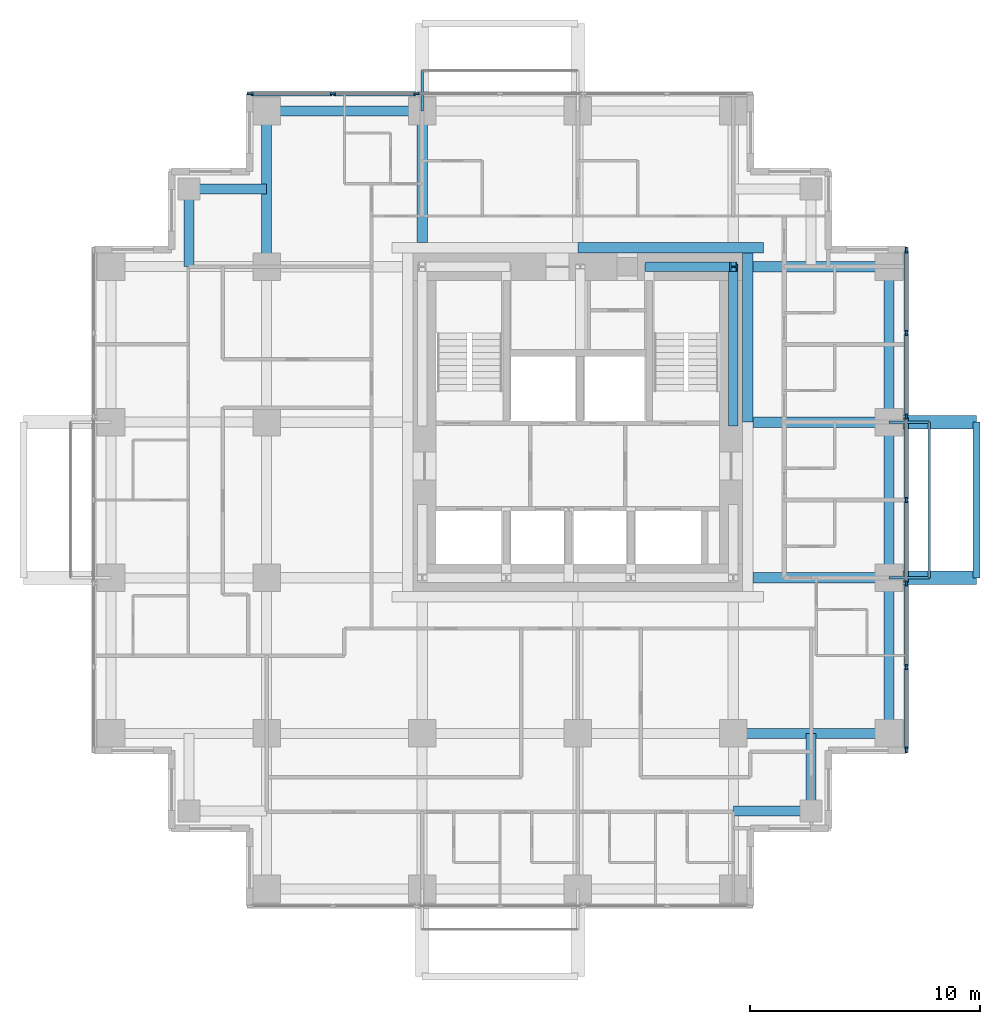
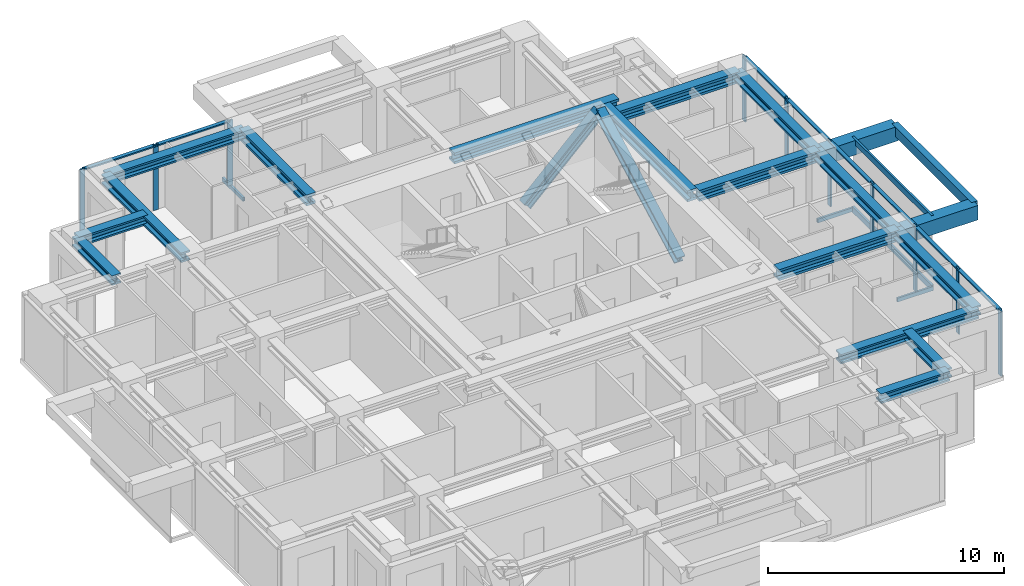
# One storey, part 3 of 10: 25 members, 19 beams, 2 elements without a shape of their own.
"""IFC4 building model written with IfcOpenShell, lengths in metres."""

from ifc_helpers import new_model, si_unit, direction, frame, origin, origin_2d, place, context, subcontext, project, spatial, rectangle, hollow_rectangle, i_section, extrude, material, material_profile, profile_set, type_object, element, aggregate, save


model = new_model("IFC4")

# Units and contexts
model_context = context("Model", 3, precision=1e-05, world=origin(), true_north=direction((0.0, 1.0)))
body_context = subcontext(model_context, "Body", "Model", "MODEL_VIEW")
ifc_project = project(units=[si_unit("LENGTHUNIT", "METRE"), si_unit("AREAUNIT", "SQUARE_METRE"), si_unit("VOLUMEUNIT", "CUBIC_METRE"), si_unit("PLANEANGLEUNIT", "RADIAN"), si_unit("MASSUNIT", "GRAM", prefix="KILO")], contexts=[model_context])

# Site, building, storey
site_placement = place(None, origin())
site = spatial("IfcSite", under=ifc_project, at=site_placement, CompositionType="ELEMENT")
building_placement = place(site_placement, origin())
building = spatial("IfcBuilding", under=site, at=building_placement, Name="Nyansa Garden Tower", CompositionType="ELEMENT")
storey_placement = place(building_placement, frame((0.0, 0.0, 189.0)))
storey = spatial("IfcBuildingStorey", under=building, at=storey_placement, Name="L51", CompositionType="ELEMENT", Elevation=189.0)

# Beams
ifc_material_1 = material(Name="Concrete C70/85", Category="concrete")
ifc_material_profile_1 = material_profile(ifc_material_1, rectangle(XDim=0.60009765625, YDim=0.75, at=origin_2d()), Name="RC 600x750")
ifc_profile_set_1 = profile_set([ifc_material_profile_1], Name="Concrete C70/85")
beam_type_1 = type_object("IfcBeamType", Name="Balcony cantilever beam CB1 RC 600x750", PredefinedType="BEAM", material=ifc_profile_set_1)
for number, where, z_axis, x_axis, name in (
    (1, (33.75, 13.5, 2.985107421875), (1.0, 0.0, 0.0), (0.0, 1.0, 0.0), "Balcony cantilever beam L52"),
    (2, (33.75, 20.25, 2.985107421875), (1.0, 0.0, 0.0), (0.0, 1.0, 0.0), "Balcony cantilever beam L52"),
):
    element("IfcBeam", number, at=place(storey_placement, frame(where, z_axis=z_axis, x_axis=x_axis)), inside=storey, type_object=beam_type_1, Name=name, PredefinedType="BEAM", context=body_context, shape_type="SweptSolid", body=[
        extrude(rectangle(XDim=0.60009765625, YDim=0.75, at=origin_2d()), origin(), (0.0, 0.0, 1.0), 3.800048828125),
    ])
ifc_material_2 = material(Name="Concrete C70/85", Category="concrete")
ifc_material_profile_2 = material_profile(ifc_material_2, rectangle(XDim=0.300048828125, YDim=0.5, at=origin_2d()), Name="RC 300x500")
ifc_profile_set_2 = profile_set([ifc_material_profile_2], Name="Concrete C70/85")
beam_type_2 = type_object("IfcBeamType", Name="Balcony edge beam BE1 RC 300x500", PredefinedType="BEAM", material=ifc_profile_set_2)
beam_1_placement = place(storey_placement, frame((37.550048828125, 13.5, 3.110107421875), z_axis=(0.0, 1.0, 0.0), x_axis=(-1.0, 0.0, 0.0)))
element("IfcBeam", 3, at=beam_1_placement, inside=storey, type_object=beam_type_2, Name="Balcony edge beam L52", PredefinedType="BEAM", context=body_context, shape_type="SweptSolid", body=[
    extrude(rectangle(XDim=0.300048828125, YDim=0.5, at=origin_2d()), origin(), (0.0, 0.0, 1.0), 6.75),
])

# Curtain wall, members
ifc_material_3 = material(Name="Black anodised aluminium, dark tinted double glazing", Category="aluminium")
curtain_wall_type = type_object("IfcCurtainWallType", Name="Inner skin curtain wall ISW-C", PredefinedType="USERDEFINED", material=ifc_material_3)
curtain_wall_1_placement = place(storey_placement, origin())
curtain_wall_1 = element("IfcCurtainWall", 4, at=curtain_wall_1_placement, inside=storey, type_object=curtain_wall_type, Name="Inner skin curtain wall L51 E", ObjectType="UNITISED CURTAIN WALL", PredefinedType="USERDEFINED")
ifc_material_4 = material(Name="Black anodised aluminium", Category="aluminium")
ifc_material_profile_3 = material_profile(ifc_material_4, rectangle(XDim=0.070068359375, YDim=0.25, at=origin_2d()), Name="Mullion 250x70")
ifc_profile_set_3 = profile_set([ifc_material_profile_3], Name="Black anodised aluminium")
member_type_1 = type_object("IfcMemberType", Name="Mullion ISW-C 250x70", PredefinedType="MULLION", material=ifc_profile_set_3)
member_1_placement = place(storey_placement, frame((34.5, 6.034912109375, 0.0), z_axis=(0.0, 0.0, 1.0), x_axis=(-1.0, 0.0, 0.0)))
member_1 = element("IfcMember", 5, at=member_1_placement, type_object=member_type_1, Name="ISW-C mullion 1", PredefinedType="MULLION", context=body_context, shape_type="SweptSolid", body=[
    extrude(rectangle(XDim=0.070068359375, YDim=0.25, at=origin_2d()), origin(), (0.0, 0.0, 1.0), 3.375),
])
member_2_placement = place(storey_placement, frame((34.5, 9.625, 0.0), z_axis=(0.0, 0.0, 1.0), x_axis=(-1.0, 0.0, 0.0)))
member_2 = element("IfcMember", 6, at=member_2_placement, type_object=member_type_1, Name="ISW-C mullion 2", PredefinedType="MULLION", context=body_context, shape_type="SweptSolid", body=[
    extrude(rectangle(XDim=0.070068359375, YDim=0.25, at=origin_2d()), origin(), (0.0, 0.0, 1.0), 3.375),
])
member_3_placement = place(storey_placement, frame((34.5, 13.25, 0.0), z_axis=(0.0, 0.0, 1.0), x_axis=(-1.0, 0.0, 0.0)))
member_3 = element("IfcMember", 7, at=member_3_placement, type_object=member_type_1, Name="ISW-C mullion 3", PredefinedType="MULLION", context=body_context, shape_type="SweptSolid", body=[
    extrude(rectangle(XDim=0.070068359375, YDim=0.25, at=origin_2d()), origin(), (0.0, 0.0, 1.0), 3.375),
])
member_4_placement = place(storey_placement, frame((34.5, 16.875, 0.0), z_axis=(0.0, 0.0, 1.0), x_axis=(-1.0, 0.0, 0.0)))
member_4 = element("IfcMember", 8, at=member_4_placement, type_object=member_type_1, Name="ISW-C mullion 4", PredefinedType="MULLION", context=body_context, shape_type="SweptSolid", body=[
    extrude(rectangle(XDim=0.070068359375, YDim=0.25, at=origin_2d()), origin(), (0.0, 0.0, 1.0), 3.375),
])
member_5_placement = place(storey_placement, frame((34.5, 20.5, 0.0), z_axis=(0.0, 0.0, 1.0), x_axis=(-1.0, 0.0, 0.0)))
member_5 = element("IfcMember", 9, at=member_5_placement, type_object=member_type_1, Name="ISW-C mullion 5", PredefinedType="MULLION", context=body_context, shape_type="SweptSolid", body=[
    extrude(rectangle(XDim=0.070068359375, YDim=0.25, at=origin_2d()), origin(), (0.0, 0.0, 1.0), 3.375),
])
member_6_placement = place(storey_placement, frame((34.5, 24.125, 0.0), z_axis=(0.0, 0.0, 1.0), x_axis=(-1.0, 0.0, 0.0)))
member_6 = element("IfcMember", 10, at=member_6_placement, type_object=member_type_1, Name="ISW-C mullion 6", PredefinedType="MULLION", context=body_context, shape_type="SweptSolid", body=[
    extrude(rectangle(XDim=0.070068359375, YDim=0.25, at=origin_2d()), origin(), (0.0, 0.0, 1.0), 3.375),
])
member_7_placement = place(storey_placement, frame((34.5, 27.715087890625, 0.0), z_axis=(0.0, 0.0, 1.0), x_axis=(-1.0, 0.0, 0.0)))
member_7 = element("IfcMember", 11, at=member_7_placement, type_object=member_type_1, Name="ISW-C mullion 7", PredefinedType="MULLION", context=body_context, shape_type="SweptSolid", body=[
    extrude(rectangle(XDim=0.070068359375, YDim=0.25, at=origin_2d()), origin(), (0.0, 0.0, 1.0), 3.375),
])

curtain_wall_2_placement = place(storey_placement, origin())
curtain_wall_2 = element("IfcCurtainWall", 12, at=curtain_wall_2_placement, inside=storey, type_object=curtain_wall_type, Name="Inner skin curtain wall L51 N", ObjectType="UNITISED CURTAIN WALL", PredefinedType="USERDEFINED")
member_8_placement = place(storey_placement, frame((13.25, 34.5, 0.0), z_axis=(0.0, 0.0, 1.0), x_axis=(0.0, -1.0, 0.0)))
member_8 = element("IfcMember", 13, at=member_8_placement, type_object=member_type_1, Name="ISW-C mullion 5", PredefinedType="MULLION", context=body_context, shape_type="SweptSolid", body=[
    extrude(rectangle(XDim=0.070068359375, YDim=0.25, at=origin_2d()), origin(), (0.0, 0.0, 1.0), 3.375),
])
member_9_placement = place(storey_placement, frame((9.625, 34.5, 0.0), z_axis=(0.0, 0.0, 1.0), x_axis=(0.0, -1.0, 0.0)))
member_9 = element("IfcMember", 14, at=member_9_placement, type_object=member_type_1, Name="ISW-C mullion 6", PredefinedType="MULLION", context=body_context, shape_type="SweptSolid", body=[
    extrude(rectangle(XDim=0.070068359375, YDim=0.25, at=origin_2d()), origin(), (0.0, 0.0, 1.0), 3.375),
])
member_10_placement = place(storey_placement, frame((6.034912109375, 34.5, 0.0), z_axis=(0.0, 0.0, 1.0), x_axis=(0.0, -1.0, 0.0)))
member_10 = element("IfcMember", 15, at=member_10_placement, type_object=member_type_1, Name="ISW-C mullion 7", PredefinedType="MULLION", context=body_context, shape_type="SweptSolid", body=[
    extrude(rectangle(XDim=0.070068359375, YDim=0.25, at=origin_2d()), origin(), (0.0, 0.0, 1.0), 3.375),
])

# Members
ifc_material_5 = material(Name="Steel S355, black powder coated", Category="steel")
ifc_material_profile_4 = material_profile(ifc_material_5, hollow_rectangle(XDim=0.10009765625, YDim=0.199951171875, WallThickness=0.008056640625, at=origin_2d()), Name="RHS 200x100x8")
ifc_profile_set_4 = profile_set([ifc_material_profile_4], Name="Steel S355, black powder coated")
member_type_2 = type_object("IfcMemberType", Name="Outer skin bracket arm RHS 200x100x8", PredefinedType="USERDEFINED", material=ifc_profile_set_4)
for number, where, z_axis, x_axis, name in (
    (16, (33.75, 13.5, -0.375), (1.0, 0.0, 0.0), (0.0, 1.0, 0.0), "Outer skin bracket arm"),
    (17, (33.75, 20.25, -0.375), (1.0, 0.0, 0.0), (0.0, 1.0, 0.0), "Outer skin bracket arm"),
    (18, (13.5, 33.75, -0.375), (0.0, 1.0, 0.0), (-1.0, 0.0, 0.0), "Outer skin bracket arm"),
):
    element("IfcMember", number, at=place(storey_placement, frame(where, z_axis=z_axis, x_axis=x_axis)), inside=storey, type_object=member_type_2, Name=name, ObjectType="OUTER SKIN BRACKET", PredefinedType="USERDEFINED", context=body_context, shape_type="SweptSolid", body=[
        extrude(hollow_rectangle(XDim=0.10009765625, YDim=0.199951171875, WallThickness=0.008056640625, at=origin_2d()), origin(), (0.0, 0.0, 1.0), 1.75),
    ])
ifc_material_6 = material(Name="Steel S355, black powder coated", Category="steel")
ifc_material_profile_5 = material_profile(ifc_material_6, hollow_rectangle(XDim=0.10009765625, YDim=0.300048828125, WallThickness=0.010009765625, at=origin_2d()), Name="RHS 300x100x10")
ifc_profile_set_5 = profile_set([ifc_material_profile_5], Name="Steel S355, black powder coated")
member_type_3 = type_object("IfcMemberType", Name="Outer skin rail RHS 300x100x10", PredefinedType="USERDEFINED", material=ifc_profile_set_5)
for number, where, z_axis, x_axis, name in (
    (19, (35.5, 13.5, -0.375), (0.0, 1.0, 0.0), (-1.0, 0.0, 0.0), "Outer skin rail L51"),
    (20, (35.5, 13.5, 3.22509765625), (0.0, 1.0, 0.0), (-1.0, 0.0, 0.0), "Outer skin rail L51 head"),
):
    element("IfcMember", number, at=place(storey_placement, frame(where, z_axis=z_axis, x_axis=x_axis)), inside=storey, type_object=member_type_3, Name=name, ObjectType="OUTER SKIN RAIL", PredefinedType="USERDEFINED", context=body_context, shape_type="SweptSolid", body=[
        extrude(hollow_rectangle(XDim=0.10009765625, YDim=0.300048828125, WallThickness=0.010009765625, at=origin_2d()), origin(), (0.0, 0.0, 1.0), 6.75),
    ])
ifc_material_7 = material(Name="Steel S355", Category="steel")
ifc_material_profile_6 = material_profile(ifc_material_7, i_section(OverallWidth=0.41796875, OverallDepth=0.455078125, WebThickness=0.0419921875, FlangeThickness=0.067626953125, FilletRadius=0.014892578125, at=origin_2d()), Name="HD 400x463")
ifc_profile_set_6 = profile_set([ifc_material_profile_6], Name="Steel S355")
member_type_4 = type_object("IfcMemberType", Name="Perimeter brace heavy HD 400x463", PredefinedType="BRACE", material=ifc_profile_set_6)
member_11_placement = place(storey_placement, frame((23.35009765625, 27.0, 0.0), z_axis=(0.711947531702, 0.0, 0.702232662373), x_axis=(0.0, 1.0, 0.0)))
element("IfcMember", 21, at=member_11_placement, inside=storey, type_object=member_type_4, Name="Core brace CN4 L51", PredefinedType="BRACE", context=body_context, shape_type="SweptSolid", body=[
    extrude(i_section(OverallWidth=0.41796875, OverallDepth=0.455078125, WebThickness=0.0419921875, FlangeThickness=0.067626953125, FilletRadius=0.014892578125, at=origin_2d()), origin(), (0.0, 0.0, 1.0), 5.126708984375),
])
member_12_placement = place(storey_placement, frame((27.0, 20.199951171875, 0.0), z_axis=(0.0, 0.883784057226, 0.467895009796), x_axis=(-1.0, 0.0, 0.0)))
element("IfcMember", 22, at=member_12_placement, inside=storey, type_object=member_type_4, Name="Core brace CE8 L51", PredefinedType="BRACE", context=body_context, shape_type="SweptSolid", body=[
    extrude(i_section(OverallWidth=0.41796875, OverallDepth=0.455078125, WebThickness=0.0419921875, FlangeThickness=0.067626953125, FilletRadius=0.014892578125, at=origin_2d()), origin(), (0.0, 0.0, 1.0), 7.6943359375),
])

# Beams
ifc_material_8 = material(Name="Steel S355", Category="steel")
ifc_material_profile_7 = material_profile(ifc_material_8, i_section(OverallWidth=0.431884765625, OverallDepth=0.498046875, WebThickness=0.0556640625, FlangeThickness=0.0888671875, FilletRadius=0.014892578125, at=origin_2d()), Name="HD 400x744")
ifc_profile_set_7 = profile_set([ifc_material_profile_7], Name="Steel S355")
beam_type_3 = type_object("IfcBeamType", Name="Steel beam SBC1-744 HD 400x744", PredefinedType="BEAM", material=ifc_profile_set_7)
for number, where, z_axis, x_axis, name in (
    (23, (6.75, 27.0, 3.1259765625), (0.0, 1.0, 0.0), (-1.0, 0.0, 0.0), "Steel beam 3/H-3/J L52"),
    (24, (27.0, 6.75, 3.1259765625), (1.0, 0.0, 0.0), (0.0, 1.0, 0.0), "Steel beam 6/E-7/E L52"),
):
    element("IfcBeam", number, at=place(storey_placement, frame(where, z_axis=z_axis, x_axis=x_axis)), inside=storey, type_object=beam_type_3, Name=name, PredefinedType="BEAM", context=body_context, shape_type="SweptSolid", body=[
        extrude(i_section(OverallWidth=0.431884765625, OverallDepth=0.498046875, WebThickness=0.0556640625, FlangeThickness=0.0888671875, FilletRadius=0.014892578125, at=origin_2d()), origin(), (0.0, 0.0, 1.0), 6.75),
    ])
ifc_material_9 = material(Name="Steel S355", Category="steel")
ifc_material_profile_8 = material_profile(ifc_material_9, i_section(OverallWidth=0.4541015625, OverallDepth=0.569091796875, WebThickness=0.077880859375, FlangeThickness=0.125, FilletRadius=0.014892578125, at=origin_2d()), Name="HD 400x1086")
ifc_profile_set_8 = profile_set([ifc_material_profile_8], Name="Steel S355")
beam_type_4 = type_object("IfcBeamType", Name="Steel beam SCL-1086 HD 400x1086", PredefinedType="BEAM", material=ifc_profile_set_8)
beam_2_placement = place(storey_placement, frame((13.5, 28.050048828125, 3.090576171875), z_axis=(0.0, 1.0, 0.0), x_axis=(-1.0, 0.0, 0.0)))
element("IfcBeam", 25, at=beam_2_placement, inside=storey, type_object=beam_type_4, Name="Steel beam 4/28.050-4/J L52", PredefinedType="BEAM", context=body_context, shape_type="SweptSolid", body=[
    extrude(i_section(OverallWidth=0.4541015625, OverallDepth=0.569091796875, WebThickness=0.077880859375, FlangeThickness=0.125, FilletRadius=0.014892578125, at=origin_2d()), origin(), (0.0, 0.0, 1.0), 5.699951171875),
])
for number, where, z_axis, x_axis, name in (
    (26, (27.85009765625, 13.5, 3.090576171875), (1.0, 0.0, 0.0), (0.0, 1.0, 0.0), "Steel beam 27.850/F-7/F L52"),
    (27, (27.85009765625, 20.25, 3.090576171875), (1.0, 0.0, 0.0), (0.0, 1.0, 0.0), "Steel beam 27.850/G-7/G L52"),
    (28, (27.85009765625, 27.0, 3.090576171875), (1.0, 0.0, 0.0), (0.0, 1.0, 0.0), "Steel beam 27.850/H-7/H L52"),
):
    element("IfcBeam", number, at=place(storey_placement, frame(where, z_axis=z_axis, x_axis=x_axis)), inside=storey, type_object=beam_type_4, Name=name, PredefinedType="BEAM", context=body_context, shape_type="SweptSolid", body=[
        extrude(i_section(OverallWidth=0.4541015625, OverallDepth=0.569091796875, WebThickness=0.077880859375, FlangeThickness=0.125, FilletRadius=0.014892578125, at=origin_2d()), origin(), (0.0, 0.0, 1.0), 5.89990234375),
    ])
beam_3_placement = place(storey_placement, frame((27.626953125, 20.25, 3.090576171875), z_axis=(0.0, 1.0, 0.0), x_axis=(-1.0, 0.0, 0.0)))
element("IfcBeam", 29, at=beam_3_placement, inside=storey, type_object=beam_type_4, Name="Steel core ledger beam E.2 L52", PredefinedType="BEAM", context=body_context, shape_type="SweptSolid", body=[
    extrude(i_section(OverallWidth=0.4541015625, OverallDepth=0.569091796875, WebThickness=0.077880859375, FlangeThickness=0.125, FilletRadius=0.014892578125, at=origin_2d()), origin(), (0.0, 0.0, 1.0), 7.35009765625),
])
beam_4_placement = place(storey_placement, frame((28.300048828125, 27.826904296875, 3.090576171875), z_axis=(-1.0, 0.0, 0.0), x_axis=(0.0, -1.0, 0.0)))
element("IfcBeam", 30, at=beam_4_placement, inside=storey, type_object=beam_type_4, Name="Steel core ledger beam N.1 L52", PredefinedType="BEAM", context=body_context, shape_type="SweptSolid", body=[
    extrude(i_section(OverallWidth=0.4541015625, OverallDepth=0.569091796875, WebThickness=0.077880859375, FlangeThickness=0.125, FilletRadius=0.014892578125, at=origin_2d()), origin(), (0.0, 0.0, 1.0), 8.050048828125),
])
ifc_material_10 = material(Name="Steel S355", Category="steel")
ifc_material_profile_9 = material_profile(ifc_material_10, i_section(OverallWidth=0.431884765625, OverallDepth=0.498046875, WebThickness=0.0556640625, FlangeThickness=0.0888671875, FilletRadius=0.014892578125, at=origin_2d()), Name="HD 400x744")
ifc_profile_set_9 = profile_set([ifc_material_profile_9], Name="Steel S355")
beam_type_5 = type_object("IfcBeamType", Name="Steel beam SEBC-744 HD 400x744", PredefinedType="BEAM", material=ifc_profile_set_9)
for number, where, z_axis, x_axis, name in (
    (31, (6.75, 33.75, 3.1259765625), (1.0, 0.0, 0.0), (0.0, 1.0, 0.0), "Steel edge beam 3/J-4/J L52"),
    (32, (33.75, 6.75, 3.1259765625), (0.0, 1.0, 0.0), (-1.0, 0.0, 0.0), "Steel edge beam 7/E-7/F L52"),
    (33, (33.75, 13.5, 3.1259765625), (0.0, 1.0, 0.0), (-1.0, 0.0, 0.0), "Steel edge beam 7/F-7/G L52"),
    (34, (33.75, 20.25, 3.1259765625), (0.0, 1.0, 0.0), (-1.0, 0.0, 0.0), "Steel edge beam 7/G-7/H L52"),
):
    element("IfcBeam", number, at=place(storey_placement, frame(where, z_axis=z_axis, x_axis=x_axis)), inside=storey, type_object=beam_type_5, Name=name, PredefinedType="BEAM", context=body_context, shape_type="SweptSolid", body=[
        extrude(i_section(OverallWidth=0.431884765625, OverallDepth=0.498046875, WebThickness=0.0556640625, FlangeThickness=0.0888671875, FilletRadius=0.014892578125, at=origin_2d()), origin(), (0.0, 0.0, 1.0), 6.75),
    ])
ifc_material_11 = material(Name="Steel S355", Category="steel")
ifc_material_profile_10 = material_profile(ifc_material_11, i_section(OverallWidth=0.431884765625, OverallDepth=0.498046875, WebThickness=0.0556640625, FlangeThickness=0.0888671875, FilletRadius=0.014892578125, at=origin_2d()), Name="HD 400x744")
ifc_profile_set_10 = profile_set([ifc_material_profile_10], Name="Steel S355")
beam_type_6 = type_object("IfcBeamType", Name="Steel beam SSB1-744 HD 400x744", PredefinedType="BEAM", material=ifc_profile_set_10)
for number, where, z_axis, x_axis, name in (
    (35, (30.375, 3.375, 3.1259765625), (0.0, 1.0, 0.0), (-1.0, 0.0, 0.0), "Steel step beam 30.375/3.375 L52"),
    (36, (30.375, 3.375, 3.1259765625), (-1.0, 0.0, 0.0), (0.0, -1.0, 0.0), "Steel step beam 30.375/3.375 L52"),
    (37, (3.375, 30.375, 3.1259765625), (0.0, -1.0, 0.0), (1.0, 0.0, 0.0), "Steel step beam 3.375/30.375 L52"),
    (38, (3.375, 30.375, 3.1259765625), (1.0, 0.0, 0.0), (0.0, 1.0, 0.0), "Steel step beam 3.375/30.375 L52"),
):
    element("IfcBeam", number, at=place(storey_placement, frame(where, z_axis=z_axis, x_axis=x_axis)), inside=storey, type_object=beam_type_6, Name=name, PredefinedType="BEAM", context=body_context, shape_type="SweptSolid", body=[
        extrude(i_section(OverallWidth=0.431884765625, OverallDepth=0.498046875, WebThickness=0.0556640625, FlangeThickness=0.0888671875, FilletRadius=0.014892578125, at=origin_2d()), origin(), (0.0, 0.0, 1.0), 3.375),
    ])

# Member
ifc_material_12 = material(Name="Black anodised aluminium", Category="aluminium")
ifc_material_profile_11 = material_profile(ifc_material_12, rectangle(XDim=0.179931640625, YDim=0.070068359375, at=origin_2d()), Name="Transom 180x70")
ifc_profile_set_11 = profile_set([ifc_material_profile_11], Name="Black anodised aluminium")
member_type_5 = type_object("IfcMemberType", Name="Transom ISW-C 180x70", PredefinedType="USERDEFINED", material=ifc_profile_set_11)
member_13_placement = place(storey_placement, frame((34.5, 6.070068359375, 3.340087890625), z_axis=(0.0, 1.0, 0.0), x_axis=(-1.0, 0.0, 0.0)))
member_13 = element("IfcMember", 39, at=member_13_placement, type_object=member_type_5, Name="ISW-C transom 1", ObjectType="TRANSOM", PredefinedType="USERDEFINED", context=body_context, shape_type="SweptSolid", body=[
    extrude(rectangle(XDim=0.179931640625, YDim=0.070068359375, at=origin_2d()), origin(), (0.0, 0.0, 1.0), 3.52001953125),
])

member_14_placement = place(storey_placement, frame((34.5, 9.659912109375, 3.340087890625), z_axis=(0.0, 1.0, 0.0), x_axis=(-1.0, 0.0, 0.0)))
member_14 = element("IfcMember", 40, at=member_14_placement, type_object=member_type_5, Name="ISW-C transom 2", ObjectType="TRANSOM", PredefinedType="USERDEFINED", context=body_context, shape_type="SweptSolid", body=[
    extrude(rectangle(XDim=0.179931640625, YDim=0.070068359375, at=origin_2d()), origin(), (0.0, 0.0, 1.0), 3.55517578125),
])

member_15_placement = place(storey_placement, frame((34.5, 13.284912109375, 3.340087890625), z_axis=(0.0, 1.0, 0.0), x_axis=(-1.0, 0.0, 0.0)))
member_15 = element("IfcMember", 41, at=member_15_placement, type_object=member_type_5, Name="ISW-C transom 3", ObjectType="TRANSOM", PredefinedType="USERDEFINED", context=body_context, shape_type="SweptSolid", body=[
    extrude(rectangle(XDim=0.179931640625, YDim=0.070068359375, at=origin_2d()), origin(), (0.0, 0.0, 1.0), 3.55517578125),
])

member_16_placement = place(storey_placement, frame((34.5, 16.909912109375, 3.340087890625), z_axis=(0.0, 1.0, 0.0), x_axis=(-1.0, 0.0, 0.0)))
member_16 = element("IfcMember", 42, at=member_16_placement, type_object=member_type_5, Name="ISW-C transom 4", ObjectType="TRANSOM", PredefinedType="USERDEFINED", context=body_context, shape_type="SweptSolid", body=[
    extrude(rectangle(XDim=0.179931640625, YDim=0.070068359375, at=origin_2d()), origin(), (0.0, 0.0, 1.0), 3.55517578125),
])

member_17_placement = place(storey_placement, frame((34.5, 20.534912109375, 3.340087890625), z_axis=(0.0, 1.0, 0.0), x_axis=(-1.0, 0.0, 0.0)))
member_17 = element("IfcMember", 43, at=member_17_placement, type_object=member_type_5, Name="ISW-C transom 5", ObjectType="TRANSOM", PredefinedType="USERDEFINED", context=body_context, shape_type="SweptSolid", body=[
    extrude(rectangle(XDim=0.179931640625, YDim=0.070068359375, at=origin_2d()), origin(), (0.0, 0.0, 1.0), 3.55517578125),
])

member_18_placement = place(storey_placement, frame((34.5, 24.159912109375, 3.340087890625), z_axis=(0.0, 1.0, 0.0), x_axis=(-1.0, 0.0, 0.0)))
member_18 = element("IfcMember", 44, at=member_18_placement, type_object=member_type_5, Name="ISW-C transom 6", ObjectType="TRANSOM", PredefinedType="USERDEFINED", context=body_context, shape_type="SweptSolid", body=[
    extrude(rectangle(XDim=0.179931640625, YDim=0.070068359375, at=origin_2d()), origin(), (0.0, 0.0, 1.0), 3.52001953125),
])

aggregate(curtain_wall_1, [member_1, member_2, member_3, member_4, member_5, member_6, member_7, member_13, member_14, member_15, member_16, member_17, member_18])

member_19_placement = place(storey_placement, frame((13.215087890625, 34.5, 3.340087890625), z_axis=(-1.0, 0.0, 0.0), x_axis=(0.0, -1.0, 0.0)))
member_19 = element("IfcMember", 45, at=member_19_placement, type_object=member_type_5, Name="ISW-C transom 5", ObjectType="TRANSOM", PredefinedType="USERDEFINED", context=body_context, shape_type="SweptSolid", body=[
    extrude(rectangle(XDim=0.179931640625, YDim=0.070068359375, at=origin_2d()), origin(), (0.0, 0.0, 1.0), 3.55517578125),
])

member_20_placement = place(storey_placement, frame((9.590087890625, 34.5, 3.340087890625), z_axis=(-1.0, 0.0, 0.0), x_axis=(0.0, -1.0, 0.0)))
member_20 = element("IfcMember", 46, at=member_20_placement, type_object=member_type_5, Name="ISW-C transom 6", ObjectType="TRANSOM", PredefinedType="USERDEFINED", context=body_context, shape_type="SweptSolid", body=[
    extrude(rectangle(XDim=0.179931640625, YDim=0.070068359375, at=origin_2d()), origin(), (0.0, 0.0, 1.0), 3.52001953125),
])

aggregate(curtain_wall_2, [member_8, member_9, member_10, member_19, member_20])

save(model, "model.ifc")
